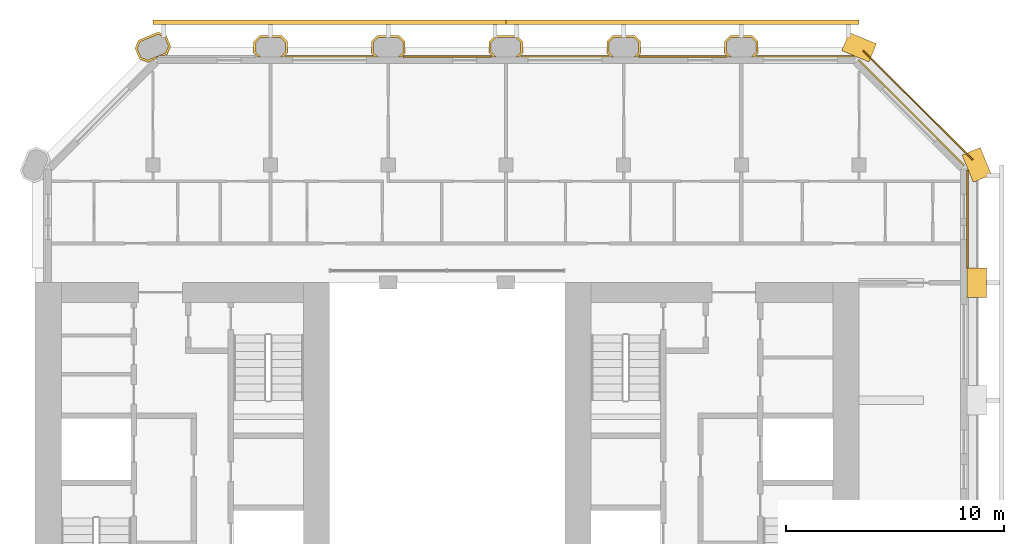
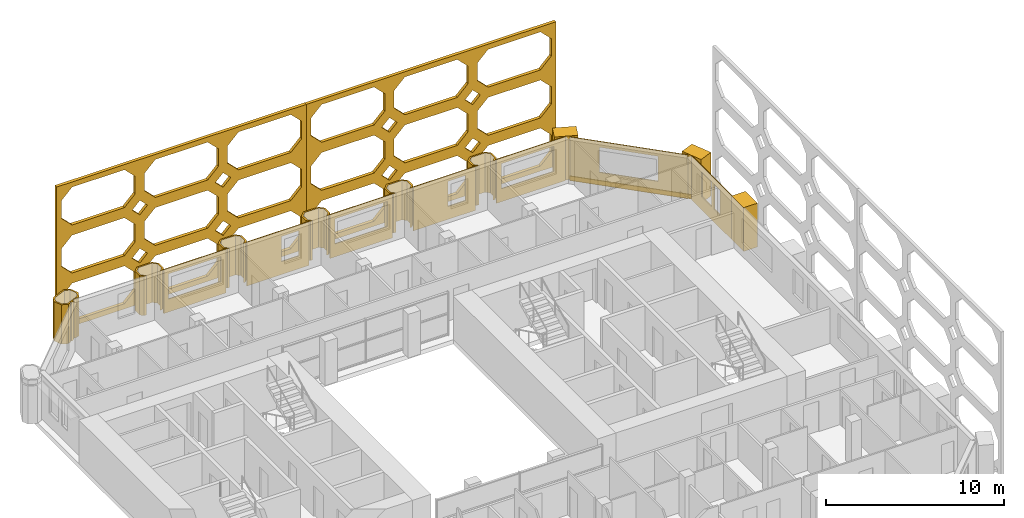
# One storey, part 15 of 15: 19 coverings.
"""IFC4 building model written with IfcOpenShell, lengths in metres."""

from ifc_helpers import new_model, si_unit, direction, frame, frame_2d, origin, place, context, subcontext, project, spatial, polyline, rectangle, outline, extrude, material, layer, layer_set, type_object, element, save


model = new_model("IFC4")

# Units and contexts
model_context = context("Model", 3, precision=1e-05, world=origin(), true_north=direction((0.0, 1.0)))
body_context = subcontext(model_context, "Body", "Model", "MODEL_VIEW")
ifc_project = project(units=[si_unit("LENGTHUNIT", "METRE"), si_unit("AREAUNIT", "SQUARE_METRE"), si_unit("VOLUMEUNIT", "CUBIC_METRE"), si_unit("PLANEANGLEUNIT", "RADIAN"), si_unit("MASSUNIT", "GRAM", prefix="KILO")], contexts=[model_context])

# Site, building, storey
site_placement = place(None, origin())
site = spatial("IfcSite", under=ifc_project, at=site_placement, CompositionType="ELEMENT")
building_placement = place(site_placement, origin())
building = spatial("IfcBuilding", under=site, at=building_placement, Name="Tabaq Tower and Sports Hall", CompositionType="ELEMENT")
storey_placement = place(building_placement, frame((0.0, 0.0, 278.5)))
storey = spatial("IfcBuildingStorey", under=building, at=storey_placement, Name="L68", CompositionType="ELEMENT", Elevation=278.5)

# Coverings
ifc_material_1 = material(Name="Precast concrete C60/75", Category="concrete")
ifc_layer_1 = layer(ifc_material_1, 0.10009765625)
ifc_layer_set_1 = layer_set([ifc_layer_1], Name="Column cladding 100")
covering_type_1 = type_object("IfcCoveringType", Name="Column cladding 100", PredefinedType="CLADDING", material=ifc_layer_set_1)
covering_1_placement = place(storey_placement, frame((0.0, 0.0, 0.300048828125)))
element("IfcCovering", 1, at=covering_1_placement, inside=storey, type_object=covering_type_1, Name="Column cladding L68 PC-3I-R1", PredefinedType="CLADDING", context=body_context, shape_type="SweptSolid", body=[
    extrude(outline(polyline([(9.982421875, 43.149658203125), (10.1357421875, 43.519775390625), (11.04345703125, 43.895751953125), (11.413818359375, 43.742431640625), (11.61767578125, 43.25048828125), (11.46435546875, 42.880126953125), (11.295654296875, 42.810302734375), (11.04296875, 42.810302734375), (11.04296875, 42.750244140625), (10.986083984375, 42.750244140625), (10.986083984375, 42.68212890625), (10.83251953125, 42.618408203125), (10.801025390625, 42.64990234375), (10.72509765625, 42.573974609375), (10.556396484375, 42.504150390625), (10.186279296875, 42.657470703125), (9.982421875, 43.149658203125)]), holes=[polyline([(11.510009765625, 43.25048828125), (11.337646484375, 43.66650390625), (11.04345703125, 43.788330078125), (10.2119140625, 43.44384765625), (10.08984375, 43.149658203125), (10.26220703125, 42.733642578125), (10.556396484375, 42.61181640625), (11.38818359375, 42.956298828125), (11.510009765625, 43.25048828125)])]), origin(), (0.0, 0.0, 1.0), 2.699951171875),
])
covering_2_placement = place(storey_placement, frame((0.0, 0.0, 0.300048828125)))
element("IfcCovering", 2, at=covering_2_placement, inside=storey, type_object=covering_type_1, Name="Column cladding L68 PC-4I-R1", PredefinedType="CLADDING", context=body_context, shape_type="SweptSolid", body=[
    extrude(outline(polyline([(15.42529296875, 43.46630859375), (15.708740234375, 43.749755859375), (16.69140625, 43.749755859375), (16.974609375, 43.46630859375), (16.974609375, 42.93359375), (16.791259765625, 42.750244140625), (16.650634765625, 42.750244140625), (16.875244140625, 42.974853515625), (16.875244140625, 43.425048828125), (16.650146484375, 43.650390625), (15.749755859375, 43.650390625), (15.524658203125, 43.425048828125), (15.524658203125, 42.974853515625), (15.749267578125, 42.750244140625), (15.608642578125, 42.750244140625), (15.42529296875, 42.93359375), (15.42529296875, 43.46630859375)])), origin(), (0.0, 0.0, 1.0), 2.699951171875),
])
covering_3_placement = place(storey_placement, frame((0.0, 0.0, 0.300048828125)))
element("IfcCovering", 3, at=covering_3_placement, inside=storey, type_object=covering_type_1, Name="Column cladding L68 PC-5I-R1", PredefinedType="CLADDING", context=body_context, shape_type="SweptSolid", body=[
    extrude(outline(polyline([(20.8251953125, 43.46630859375), (21.108642578125, 43.749755859375), (22.09130859375, 43.749755859375), (22.374755859375, 43.46630859375), (22.374755859375, 42.93359375), (22.19140625, 42.750244140625), (22.05078125, 42.750244140625), (22.275390625, 42.974853515625), (22.275390625, 43.425048828125), (22.050048828125, 43.650390625), (21.14990234375, 43.650390625), (20.9248046875, 43.425048828125), (20.9248046875, 42.974853515625), (21.149169921875, 42.750244140625), (21.0087890625, 42.750244140625), (20.8251953125, 42.93359375), (20.8251953125, 43.46630859375)])), origin(), (0.0, 0.0, 1.0), 2.699951171875),
])
covering_4_placement = place(storey_placement, frame((0.0, 0.0, 0.300048828125)))
element("IfcCovering", 4, at=covering_4_placement, inside=storey, type_object=covering_type_1, Name="Column cladding L68 PC-6I-R1", PredefinedType="CLADDING", context=body_context, shape_type="SweptSolid", body=[
    extrude(outline(polyline([(26.225341796875, 43.46630859375), (26.5087890625, 43.749755859375), (27.4912109375, 43.749755859375), (27.774658203125, 43.46630859375), (27.774658203125, 42.93359375), (27.59130859375, 42.750244140625), (27.45068359375, 42.750244140625), (27.67529296875, 42.974853515625), (27.67529296875, 43.425048828125), (27.4501953125, 43.650390625), (26.5498046875, 43.650390625), (26.32470703125, 43.425048828125), (26.32470703125, 42.974853515625), (26.54931640625, 42.750244140625), (26.40869140625, 42.750244140625), (26.225341796875, 42.93359375), (26.225341796875, 43.46630859375)])), origin(), (0.0, 0.0, 1.0), 2.699951171875),
])
covering_5_placement = place(storey_placement, frame((0.0, 0.0, 0.300048828125)))
element("IfcCovering", 5, at=covering_5_placement, inside=storey, type_object=covering_type_1, Name="Column cladding L68 PC-7I-R1", PredefinedType="CLADDING", context=body_context, shape_type="SweptSolid", body=[
    extrude(outline(polyline([(31.625244140625, 43.46630859375), (31.90869140625, 43.749755859375), (32.891357421875, 43.749755859375), (33.1748046875, 43.46630859375), (33.1748046875, 42.93359375), (32.9912109375, 42.750244140625), (32.850830078125, 42.750244140625), (33.0751953125, 42.974853515625), (33.0751953125, 43.425048828125), (32.85009765625, 43.650390625), (31.949951171875, 43.650390625), (31.724609375, 43.425048828125), (31.724609375, 42.974853515625), (31.94921875, 42.750244140625), (31.80859375, 42.750244140625), (31.625244140625, 42.93359375), (31.625244140625, 43.46630859375)])), origin(), (0.0, 0.0, 1.0), 2.699951171875),
])
covering_6_placement = place(storey_placement, frame((0.0, 0.0, 0.300048828125)))
element("IfcCovering", 6, at=covering_6_placement, inside=storey, type_object=covering_type_1, Name="Column cladding L68 PC-8I-R1", PredefinedType="CLADDING", context=body_context, shape_type="SweptSolid", body=[
    extrude(outline(polyline([(37.025390625, 43.46630859375), (37.30859375, 43.749755859375), (38.291259765625, 43.749755859375), (38.57470703125, 43.46630859375), (38.57470703125, 42.93359375), (38.391357421875, 42.750244140625), (38.250732421875, 42.750244140625), (38.475341796875, 42.974853515625), (38.475341796875, 43.425048828125), (38.250244140625, 43.650390625), (37.349853515625, 43.650390625), (37.124755859375, 43.425048828125), (37.124755859375, 42.974853515625), (37.349365234375, 42.750244140625), (37.208740234375, 42.750244140625), (37.025390625, 42.93359375), (37.025390625, 43.46630859375)])), origin(), (0.0, 0.0, 1.0), 2.699951171875),
])
ifc_material_2 = material(Name="Precast concrete C60/75", Category="concrete")
ifc_layer_2 = layer(ifc_material_2, 0.06005859375)
ifc_layer_set_2 = layer_set([ifc_layer_2], Name="Edge beam cladding 60")
covering_type_2 = type_object("IfcCoveringType", Name="Edge beam cladding 60", PredefinedType="CLADDING", material=ifc_layer_set_2)
covering_7_placement = place(storey_placement, frame((48.41015625, 38.0322265625, -0.300048828125), z_axis=(0.0, 0.0, 1.0), x_axis=(-0.707106781187, 0.707106781187, 0.0)))
element("IfcCovering", 7, at=covering_7_placement, inside=storey, type_object=covering_type_2, Name="Edge beam cladding L68 4", PredefinedType="CLADDING", context=body_context, shape_type="SweptSolid", body=[
    extrude(rectangle(XDim=7.08837890625, YDim=0.06005859375, at=frame_2d((3.544189453125, 0.0))), origin(), (0.0, 0.0, 1.0), 0.300048828125),
])
ifc_material_3 = material(Name="White precast concrete C60/75", Category="concrete")
covering_type_3 = type_object("IfcCoveringType", Name="Pier cladding hung 1350x900", PredefinedType="CLADDING", material=ifc_material_3)
covering_8_placement = place(storey_placement, frame((43.82373046875, 42.941650390625, 0.0), z_axis=(0.0, 0.0, 1.0), x_axis=(-0.923893411637, 0.382649923473, 0.0)))
element("IfcCovering", 8, at=covering_8_placement, inside=storey, type_object=covering_type_3, Name="Hung pier cladding 8/8", PredefinedType="CLADDING", context=body_context, shape_type="SweptSolid", body=[
    extrude(rectangle(XDim=1.35009765625, YDim=0.89990234375, at=frame_2d((0.675048828125, 0.0))), origin(), (0.0, 0.0, 1.0), 3.0),
])
covering_9_placement = place(storey_placement, frame((48.60009765625, 31.72509765625, 0.0), z_axis=(0.0, 0.0, 1.0), x_axis=(0.0, 1.0, 0.0)))
element("IfcCovering", 9, at=covering_9_placement, inside=storey, type_object=covering_type_3, Name="Hung pier cladding 9/6", PredefinedType="CLADDING", context=body_context, shape_type="SweptSolid", body=[
    extrude(rectangle(XDim=1.349853515625, YDim=0.89990234375, at=frame_2d((0.6748046875, 0.0))), origin(), (0.0, 0.0, 1.0), 3.0),
])
covering_10_placement = place(storey_placement, frame((48.8583984375, 37.17626953125, 0.0), z_axis=(0.0, 0.0, 1.0), x_axis=(-0.382649923473, 0.923893411637, 0.0)))
element("IfcCovering", 10, at=covering_10_placement, inside=storey, type_object=covering_type_3, Name="Hung pier cladding 9/7", PredefinedType="CLADDING", context=body_context, shape_type="SweptSolid", body=[
    extrude(rectangle(XDim=1.35009765625, YDim=0.89990234375, at=frame_2d((0.675048828125, 0.0))), origin(), (0.0, 0.0, 1.0), 3.0),
])
ifc_material_4 = material(Name="White precast concrete C60/75 pierced screen", Category="concrete")
ifc_layer_3 = layer(ifc_material_4, 0.199951171875)
ifc_layer_set_3 = layer_set([ifc_layer_3], Name="TRACERY SCREEN 200 C60/75")
covering_type_4 = type_object("IfcCoveringType", Name="TRACERY SCREEN 200 C60/75", PredefinedType="CLADDING", material=ifc_layer_set_3)
covering_11_placement = place(storey_placement, frame((43.199951171875, 44.35009765625, 0.0), z_axis=(0.0, 0.0, 1.0), x_axis=(-1.0, 0.0, 0.0)))
element("IfcCovering", 11, at=covering_11_placement, inside=storey, type_object=covering_type_4, Name="Tracery screen R1 N L68-L70", PredefinedType="CLADDING", context=body_context, shape_type="SweptSolid", body=[
    extrude(outline(polyline([(0.0, 0.0), (16.199951171875, 0.0), (16.199951171875, 9.89990234375), (0.0, 9.89990234375), (0.0, 0.0)]), holes=[polyline([(1.0, 0.35009765625), (4.39990234375, 0.35009765625), (5.10009765625, 1.050048828125), (5.10009765625, 2.25), (4.39990234375, 2.949951171875), (1.0, 2.949951171875), (0.300048828125, 2.25), (0.300048828125, 1.050048828125), (1.0, 0.35009765625)]), polyline([(6.39990234375, 0.35009765625), (9.800048828125, 0.35009765625), (10.5, 1.050048828125), (10.5, 2.25), (9.800048828125, 2.949951171875), (6.39990234375, 2.949951171875), (5.699951171875, 2.25), (5.699951171875, 1.050048828125), (6.39990234375, 0.35009765625)]), polyline([(11.800048828125, 0.35009765625), (15.199951171875, 0.35009765625), (15.89990234375, 1.050048828125), (15.89990234375, 2.25), (15.199951171875, 2.949951171875), (11.800048828125, 2.949951171875), (11.10009765625, 2.25), (11.10009765625, 1.050048828125), (11.800048828125, 0.35009765625)]), polyline([(1.0, 3.64990234375), (4.39990234375, 3.64990234375), (5.10009765625, 4.35009765625), (5.10009765625, 5.550048828125), (4.39990234375, 6.25), (1.0, 6.25), (0.300048828125, 5.550048828125), (0.300048828125, 4.35009765625), (1.0, 3.64990234375)]), polyline([(6.39990234375, 3.64990234375), (9.800048828125, 3.64990234375), (10.5, 4.35009765625), (10.5, 5.550048828125), (9.800048828125, 6.25), (6.39990234375, 6.25), (5.699951171875, 5.550048828125), (5.699951171875, 4.35009765625), (6.39990234375, 3.64990234375)]), polyline([(11.800048828125, 3.64990234375), (15.199951171875, 3.64990234375), (15.89990234375, 4.35009765625), (15.89990234375, 5.550048828125), (15.199951171875, 6.25), (11.800048828125, 6.25), (11.10009765625, 5.550048828125), (11.10009765625, 4.35009765625), (11.800048828125, 3.64990234375)]), polyline([(1.0, 6.949951171875), (4.39990234375, 6.949951171875), (5.10009765625, 7.64990234375), (5.10009765625, 8.85009765625), (4.39990234375, 9.550048828125), (1.0, 9.550048828125), (0.300048828125, 8.85009765625), (0.300048828125, 7.64990234375), (1.0, 6.949951171875)]), polyline([(6.39990234375, 6.949951171875), (9.800048828125, 6.949951171875), (10.5, 7.64990234375), (10.5, 8.85009765625), (9.800048828125, 9.550048828125), (6.39990234375, 9.550048828125), (5.699951171875, 8.85009765625), (5.699951171875, 7.64990234375), (6.39990234375, 6.949951171875)]), polyline([(11.800048828125, 6.949951171875), (15.199951171875, 6.949951171875), (15.89990234375, 7.64990234375), (15.89990234375, 8.85009765625), (15.199951171875, 9.550048828125), (11.800048828125, 9.550048828125), (11.10009765625, 8.85009765625), (11.10009765625, 7.64990234375), (11.800048828125, 6.949951171875)]), polyline([(5.89990234375, 3.300048828125), (5.39990234375, 3.800048828125), (4.89990234375, 3.300048828125), (5.39990234375, 2.800048828125), (5.89990234375, 3.300048828125)]), polyline([(11.300048828125, 3.300048828125), (10.800048828125, 3.800048828125), (10.300048828125, 3.300048828125), (10.800048828125, 2.800048828125), (11.300048828125, 3.300048828125)]), polyline([(5.89990234375, 6.60009765625), (5.39990234375, 7.10009765625), (4.89990234375, 6.60009765625), (5.39990234375, 6.10009765625), (5.89990234375, 6.60009765625)]), polyline([(11.300048828125, 6.60009765625), (10.800048828125, 7.10009765625), (10.300048828125, 6.60009765625), (10.800048828125, 6.10009765625), (11.300048828125, 6.60009765625)])]), frame((0.0, 0.10009765625, 0.0), z_axis=(0.0, -1.0, 0.0), x_axis=(1.0, 0.0, 0.0)), (0.0, 0.0, 1.0), 0.199951171875),
])
covering_12_placement = place(storey_placement, frame((27.0, 44.35009765625, 0.0), z_axis=(0.0, 0.0, 1.0), x_axis=(-1.0, 0.0, 0.0)))
element("IfcCovering", 12, at=covering_12_placement, inside=storey, type_object=covering_type_4, Name="Tracery screen R1 N L68-L70", PredefinedType="CLADDING", context=body_context, shape_type="SweptSolid", body=[
    extrude(outline(polyline([(0.0, 0.0), (16.199951171875, 0.0), (16.199951171875, 9.89990234375), (0.0, 9.89990234375), (0.0, 0.0)]), holes=[polyline([(1.0, 0.35009765625), (4.39990234375, 0.35009765625), (5.10009765625, 1.050048828125), (5.10009765625, 2.25), (4.39990234375, 2.949951171875), (1.0, 2.949951171875), (0.300048828125, 2.25), (0.300048828125, 1.050048828125), (1.0, 0.35009765625)]), polyline([(6.39990234375, 0.35009765625), (9.800048828125, 0.35009765625), (10.5, 1.050048828125), (10.5, 2.25), (9.800048828125, 2.949951171875), (6.39990234375, 2.949951171875), (5.699951171875, 2.25), (5.699951171875, 1.050048828125), (6.39990234375, 0.35009765625)]), polyline([(11.800048828125, 0.35009765625), (15.199951171875, 0.35009765625), (15.89990234375, 1.050048828125), (15.89990234375, 2.25), (15.199951171875, 2.949951171875), (11.800048828125, 2.949951171875), (11.10009765625, 2.25), (11.10009765625, 1.050048828125), (11.800048828125, 0.35009765625)]), polyline([(1.0, 3.64990234375), (4.39990234375, 3.64990234375), (5.10009765625, 4.35009765625), (5.10009765625, 5.550048828125), (4.39990234375, 6.25), (1.0, 6.25), (0.300048828125, 5.550048828125), (0.300048828125, 4.35009765625), (1.0, 3.64990234375)]), polyline([(6.39990234375, 3.64990234375), (9.800048828125, 3.64990234375), (10.5, 4.35009765625), (10.5, 5.550048828125), (9.800048828125, 6.25), (6.39990234375, 6.25), (5.699951171875, 5.550048828125), (5.699951171875, 4.35009765625), (6.39990234375, 3.64990234375)]), polyline([(11.800048828125, 3.64990234375), (15.199951171875, 3.64990234375), (15.89990234375, 4.35009765625), (15.89990234375, 5.550048828125), (15.199951171875, 6.25), (11.800048828125, 6.25), (11.10009765625, 5.550048828125), (11.10009765625, 4.35009765625), (11.800048828125, 3.64990234375)]), polyline([(1.0, 6.949951171875), (4.39990234375, 6.949951171875), (5.10009765625, 7.64990234375), (5.10009765625, 8.85009765625), (4.39990234375, 9.550048828125), (1.0, 9.550048828125), (0.300048828125, 8.85009765625), (0.300048828125, 7.64990234375), (1.0, 6.949951171875)]), polyline([(6.39990234375, 6.949951171875), (9.800048828125, 6.949951171875), (10.5, 7.64990234375), (10.5, 8.85009765625), (9.800048828125, 9.550048828125), (6.39990234375, 9.550048828125), (5.699951171875, 8.85009765625), (5.699951171875, 7.64990234375), (6.39990234375, 6.949951171875)]), polyline([(11.800048828125, 6.949951171875), (15.199951171875, 6.949951171875), (15.89990234375, 7.64990234375), (15.89990234375, 8.85009765625), (15.199951171875, 9.550048828125), (11.800048828125, 9.550048828125), (11.10009765625, 8.85009765625), (11.10009765625, 7.64990234375), (11.800048828125, 6.949951171875)]), polyline([(5.89990234375, 3.300048828125), (5.39990234375, 3.800048828125), (4.89990234375, 3.300048828125), (5.39990234375, 2.800048828125), (5.89990234375, 3.300048828125)]), polyline([(11.300048828125, 3.300048828125), (10.800048828125, 3.800048828125), (10.300048828125, 3.300048828125), (10.800048828125, 2.800048828125), (11.300048828125, 3.300048828125)]), polyline([(5.89990234375, 6.60009765625), (5.39990234375, 7.10009765625), (4.89990234375, 6.60009765625), (5.39990234375, 6.10009765625), (5.89990234375, 6.60009765625)]), polyline([(11.300048828125, 6.60009765625), (10.800048828125, 7.10009765625), (10.300048828125, 6.60009765625), (10.800048828125, 6.10009765625), (11.300048828125, 6.60009765625)])]), frame((0.0, 0.10009765625, 0.0), z_axis=(0.0, -1.0, 0.0), x_axis=(1.0, 0.0, 0.0)), (0.0, 0.0, 1.0), 0.199951171875),
])
ifc_material_5 = material(Name="Precast concrete C60/75", Category="concrete")
ifc_layer_4 = layer(ifc_material_5, 0.06005859375)
ifc_layer_set_4 = layer_set([ifc_layer_4], Name="White precast cladding panel 60 C60/75")
covering_type_5 = type_object("IfcCoveringType", Name="White precast cladding panel 60 C60/75", PredefinedType="CLADDING", material=ifc_layer_set_4)
covering_13_placement = place(storey_placement, frame((48.179931640625, 33.0849609375, 0.0), z_axis=(0.0, 0.0, 1.0), x_axis=(0.0, 1.0, 0.0)))
element("IfcCovering", 13, at=covering_13_placement, inside=storey, type_object=covering_type_5, Name="White precast cladding panel L68 wall02 6", PredefinedType="CLADDING", context=body_context, shape_type="SweptSolid", body=[
    extrude(outline(polyline([(0.0, 0.0), (4.471923828125, 0.0), (4.471923828125, 3.0), (0.0, 3.0), (0.0, 0.0)]), holes=[polyline([(1.280029296875, 2.610107421875), (1.949951171875, 2.610107421875), (1.949951171875, 0.889892578125), (1.280029296875, 0.889892578125), (1.280029296875, 2.610107421875)]), polyline([(2.2548828125, 2.610107421875), (3.375, 2.610107421875), (3.375, 0.889892578125), (2.2548828125, 0.889892578125), (2.2548828125, 2.610107421875)])]), frame((0.0, 0.030029296875, 0.0), z_axis=(0.0, -1.0, 0.0), x_axis=(1.0, 0.0, 0.0)), (0.0, 0.0, 1.0), 0.06005859375),
])
covering_14_placement = place(storey_placement, frame((48.0283203125, 37.77783203125, 0.0), z_axis=(0.0, 0.0, 1.0), x_axis=(-0.707124576528, 0.707088985397, 0.0)))
element("IfcCovering", 14, at=covering_14_placement, inside=storey, type_object=covering_type_5, Name="White precast cladding panel L68 wall03", PredefinedType="CLADDING", context=body_context, shape_type="SweptSolid", body=[
    extrude(outline(polyline([(0.0, 0.0), (6.859619140625, 0.0), (6.859619140625, 3.0), (0.0, 3.0), (0.0, 0.0)]), holes=[polyline([(1.7197265625, 0.889892578125), (1.7197265625, 2.610107421875), (5.139892578125, 2.610107421875), (5.139892578125, 0.889892578125), (1.7197265625, 0.889892578125)])]), frame((0.0, 0.030029296875, 0.0), z_axis=(0.0, -1.0, 0.0), x_axis=(1.0, 0.0, 0.0)), (0.0, 0.0, 1.0), 0.06005859375),
])
covering_15_placement = place(storey_placement, frame((42.956787109375, 42.780029296875, 0.0), z_axis=(0.0, 0.0, 1.0), x_axis=(-1.0, 0.0, 0.0)))
element("IfcCovering", 15, at=covering_15_placement, inside=storey, type_object=covering_type_5, Name="White precast cladding panel L68 wall04", PredefinedType="CLADDING", context=body_context, shape_type="SweptSolid", body=[
    extrude(outline(polyline([(0.0, 0.0), (4.4716796875, 0.0), (4.4716796875, 3.0), (0.0, 3.0), (0.0, 0.0)]), holes=[polyline([(0.746826171875, 0.889892578125), (0.746826171875, 2.610107421875), (4.166748046875, 2.610107421875), (4.166748046875, 0.889892578125), (0.746826171875, 0.889892578125)])]), frame((0.0, 0.030029296875, 0.0), z_axis=(0.0, -1.0, 0.0), x_axis=(1.0, 0.0, 0.0)), (0.0, 0.0, 1.0), 0.06005859375),
])
covering_16_placement = place(storey_placement, frame((37.114990234375, 42.780029296875, 0.0), z_axis=(0.0, 0.0, 1.0), x_axis=(-1.0, 0.0, 0.0)))
element("IfcCovering", 16, at=covering_16_placement, inside=storey, type_object=covering_type_5, Name="White precast cladding panel L68 wall04 2", PredefinedType="CLADDING", context=body_context, shape_type="SweptSolid", body=[
    extrude(outline(polyline([(0.0, 0.0), (4.030029296875, 0.0), (4.030029296875, 3.0), (0.0, 3.0), (0.0, 0.0)]), holes=[polyline([(0.655029296875, 0.889892578125), (0.655029296875, 2.610107421875), (1.77490234375, 2.610107421875), (1.77490234375, 0.889892578125), (0.655029296875, 0.889892578125)])]), frame((0.0, 0.030029296875, 0.0), z_axis=(0.0, -1.0, 0.0), x_axis=(1.0, 0.0, 0.0)), (0.0, 0.0, 1.0), 0.06005859375),
])
covering_17_placement = place(storey_placement, frame((31.715087890625, 42.780029296875, 0.0), z_axis=(0.0, 0.0, 1.0), x_axis=(-1.0, 0.0, 0.0)))
element("IfcCovering", 17, at=covering_17_placement, inside=storey, type_object=covering_type_5, Name="White precast cladding panel L68 wall04 3", PredefinedType="CLADDING", context=body_context, shape_type="SweptSolid", body=[
    extrude(outline(polyline([(0.0, 0.0), (4.030029296875, 0.0), (4.030029296875, 3.0), (0.0, 3.0), (0.0, 0.0)]), holes=[polyline([(0.304931640625, 0.889892578125), (0.304931640625, 2.610107421875), (3.72509765625, 2.610107421875), (3.72509765625, 0.889892578125), (0.304931640625, 0.889892578125)])]), frame((0.0, 0.030029296875, 0.0), z_axis=(0.0, -1.0, 0.0), x_axis=(1.0, 0.0, 0.0)), (0.0, 0.0, 1.0), 0.06005859375),
])
covering_18_placement = place(storey_placement, frame((26.31494140625, 42.780029296875, 0.0), z_axis=(0.0, 0.0, 1.0), x_axis=(-1.0, 0.0, 0.0)))
element("IfcCovering", 18, at=covering_18_placement, inside=storey, type_object=covering_type_5, Name="White precast cladding panel L68 wall04 4", PredefinedType="CLADDING", context=body_context, shape_type="SweptSolid", body=[
    extrude(outline(polyline([(0.0, 0.0), (4.030029296875, 0.0), (4.030029296875, 3.0), (0.0, 3.0), (0.0, 0.0)]), holes=[polyline([(0.655029296875, 0.889892578125), (0.655029296875, 2.610107421875), (1.77490234375, 2.610107421875), (1.77490234375, 0.889892578125), (0.655029296875, 0.889892578125)])]), frame((0.0, 0.030029296875, 0.0), z_axis=(0.0, -1.0, 0.0), x_axis=(1.0, 0.0, 0.0)), (0.0, 0.0, 1.0), 0.06005859375),
])
covering_19_placement = place(storey_placement, frame((20.9150390625, 42.780029296875, 0.0), z_axis=(0.0, 0.0, 1.0), x_axis=(-1.0, 0.0, 0.0)))
element("IfcCovering", 19, at=covering_19_placement, inside=storey, type_object=covering_type_5, Name="White precast cladding panel L68 wall04 5", PredefinedType="CLADDING", context=body_context, shape_type="SweptSolid", body=[
    extrude(outline(polyline([(0.0, 0.0), (4.030029296875, 0.0), (4.030029296875, 3.0), (0.0, 3.0), (0.0, 0.0)]), holes=[polyline([(0.304931640625, 0.889892578125), (0.304931640625, 2.610107421875), (3.72509765625, 2.610107421875), (3.72509765625, 0.889892578125), (0.304931640625, 0.889892578125)])]), frame((0.0, 0.030029296875, 0.0), z_axis=(0.0, -1.0, 0.0), x_axis=(1.0, 0.0, 0.0)), (0.0, 0.0, 1.0), 0.06005859375),
])

save(model, "model.ifc")
